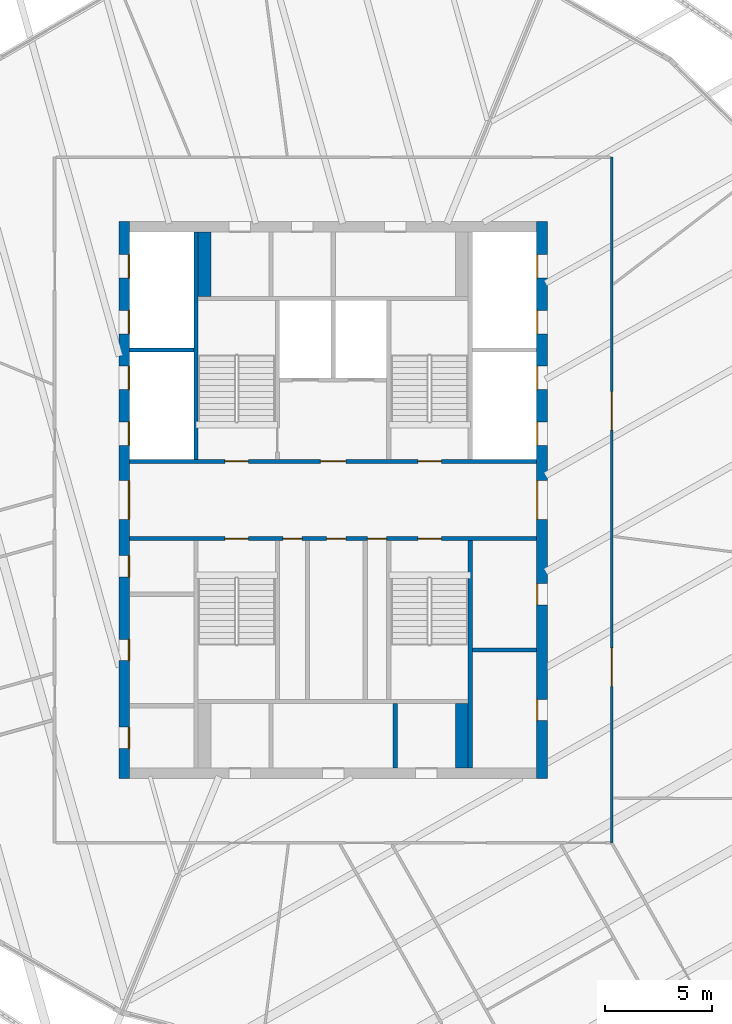
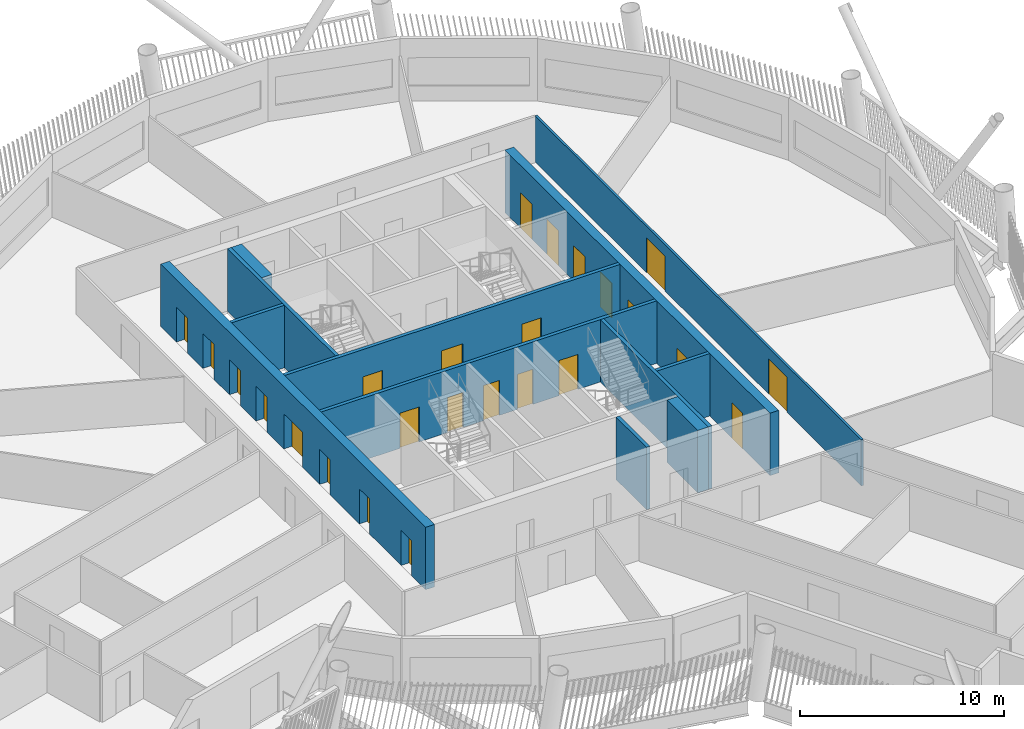
# One storey, part 5 of 21: 25 doors, 12 walls, 25 openings.
"""IFC4 building model written with IfcOpenShell, lengths in metres."""

from ifc_helpers import new_model, si_unit, direction, frame, frame_2d, origin, place, context, subcontext, project, spatial, rectangle, extrude, material, layer, layer_set, type_object, element, fill, save


model = new_model("IFC4")

# Units and contexts
model_context = context("Model", 3, precision=1e-05, world=origin(), true_north=direction((0.0, 1.0)))
body_context = subcontext(model_context, "Body", "Model", "MODEL_VIEW")
ifc_project = project(units=[si_unit("LENGTHUNIT", "METRE"), si_unit("AREAUNIT", "SQUARE_METRE"), si_unit("VOLUMEUNIT", "CUBIC_METRE"), si_unit("PLANEANGLEUNIT", "RADIAN"), si_unit("MASSUNIT", "GRAM", prefix="KILO")], contexts=[model_context])

# Site, building, storey
site_placement = place(None, origin())
site = spatial("IfcSite", under=ifc_project, at=site_placement, CompositionType="ELEMENT")
building_placement = place(site_placement, origin())
building = spatial("IfcBuilding", under=site, at=building_placement, Name="Tarsis Ring Headquarters", CompositionType="ELEMENT")
storey_placement = place(building_placement, frame((0.0, 0.0, 347.0)))
storey = spatial("IfcBuildingStorey", under=building, at=storey_placement, Name="L82", CompositionType="ELEMENT", Elevation=347.0)

# Walls
ifc_material_1 = material(Name="Blockwork", Category="masonry")
ifc_layer_1 = layer(ifc_material_1, 0.199951171875)
ifc_layer_set_1 = layer_set([ifc_layer_1], Name="Core blockwork wall 200")
wall_type_1 = type_object("IfcWallType", Name="Core blockwork wall 200", PredefinedType="PARTITIONING", material=ifc_layer_set_1)
for number, where, z_axis, x_axis, name in (
    (1, (6.5, -7.0, 0.0), (0.0, 0.0, 1.0), (1.0, 0.0, 0.0), "Core partition ED2"),
    (2, (2.89990234375, -12.5, 0.0), (0.0, 0.0, 1.0), (0.0, 1.0, 0.0), "Core partition SD3"),
):
    element("IfcWall", number, at=place(storey_placement, frame(where, z_axis=z_axis, x_axis=x_axis)), inside=storey, type_object=wall_type_1, Name=name, PredefinedType="PARTITIONING", context=body_context, shape_type="SweptSolid", body=[
        extrude(rectangle(XDim=3.0, YDim=0.199951171875, at=frame_2d((1.5, 0.0))), origin(), (0.0, 0.0, 1.0), 3.739990234375),
    ])

# Wall, openings, doors
ifc_material_2 = material(Name="Concrete C50/60", Category="concrete")
ifc_layer_2 = layer(ifc_material_2, 0.5)
ifc_layer_set_2 = layer_set([ifc_layer_2], Name="Core wall 500 C50/60")
wall_type_2 = type_object("IfcWallType", Name="Core wall 500 C50/60", PredefinedType="SHEAR", material=ifc_layer_set_2)
wall_1_placement = place(storey_placement, frame((-9.75, -13.0, 0.0), z_axis=(0.0, 0.0, 1.0), x_axis=(0.0, 1.0, 0.0)))
wall_1 = element("IfcWall", 3, at=wall_1_placement, inside=storey, type_object=wall_type_2, Name="Core wall OW", PredefinedType="SHEAR", context=body_context, shape_type="SweptSolid", body=[
    extrude(rectangle(XDim=26.0, YDim=0.5, at=frame_2d((13.0, 0.0))), origin(), (0.0, 0.0, 1.0), 3.739990234375),
])
opening_1_placement = place(wall_1_placement, frame((1.39990234375, 0.0, 0.0)))
opening_1 = element("IfcOpeningElement", 4, at=opening_1_placement, cuts=wall_1, Name="Opening L82-C01", PredefinedType="OPENING", context=body_context, shape_type="SweptSolid", body=[
    extrude(rectangle(XDim=1.0, YDim=2.10009765625, at=frame_2d((0.5, 1.050048828125))), frame((0.0, 0.260009765625, 0.0), z_axis=(0.0, -1.0, 0.0), x_axis=(1.0, 0.0, 0.0)), (0.0, 0.0, 1.0), 0.52001953125),
])
opening_2_placement = place(wall_1_placement, frame((5.5, 0.0, 0.0)))
opening_2 = element("IfcOpeningElement", 5, at=opening_2_placement, cuts=wall_1, Name="Opening L82-C02", PredefinedType="OPENING", context=body_context, shape_type="SweptSolid", body=[
    extrude(rectangle(XDim=1.0, YDim=2.10009765625, at=frame_2d((0.5, 1.050048828125))), frame((0.0, 0.260009765625, 0.0), z_axis=(0.0, -1.0, 0.0), x_axis=(1.0, 0.0, 0.0)), (0.0, 0.0, 1.0), 0.52001953125),
])
opening_3_placement = place(wall_1_placement, frame((9.39990234375, 0.0, 0.0)))
opening_3 = element("IfcOpeningElement", 6, at=opening_3_placement, cuts=wall_1, Name="Opening L82-C03", PredefinedType="OPENING", context=body_context, shape_type="SweptSolid", body=[
    extrude(rectangle(XDim=1.0, YDim=2.10009765625, at=frame_2d((0.5, 1.050048828125))), frame((0.0, 0.260009765625, 0.0), z_axis=(0.0, -1.0, 0.0), x_axis=(1.0, 0.0, 0.0)), (0.0, 0.0, 1.0), 0.52001953125),
])
opening_4_placement = place(wall_1_placement, frame((12.10009765625, 0.0, 0.0)))
opening_4 = element("IfcOpeningElement", 7, at=opening_4_placement, cuts=wall_1, Name="Opening L82-C04", PredefinedType="OPENING", context=body_context, shape_type="SweptSolid", body=[
    extrude(rectangle(XDim=1.800048828125, YDim=2.10009765625, at=frame_2d((0.89990234375, 1.050048828125))), frame((0.0, 0.260009765625, 0.0), z_axis=(0.0, -1.0, 0.0), x_axis=(1.0, 0.0, 0.0)), (0.0, 0.0, 1.0), 0.52001953125),
])
opening_5_placement = place(wall_1_placement, frame((15.550048828125, 0.0, 0.0)))
opening_5 = element("IfcOpeningElement", 8, at=opening_5_placement, cuts=wall_1, Name="Opening LD-HR1", PredefinedType="OPENING", context=body_context, shape_type="SweptSolid", body=[
    extrude(rectangle(XDim=1.10009765625, YDim=2.10009765625, at=frame_2d((0.550048828125, 1.050048828125))), frame((0.0, 0.260009765625, 0.0), z_axis=(0.0, -1.0, 0.0), x_axis=(1.0, 0.0, 0.0)), (0.0, 0.0, 1.0), 0.52001953125),
])
opening_6_placement = place(wall_1_placement, frame((18.14990234375, 0.0, 0.0)))
opening_6 = element("IfcOpeningElement", 9, at=opening_6_placement, cuts=wall_1, Name="Opening LD-HR2", PredefinedType="OPENING", context=body_context, shape_type="SweptSolid", body=[
    extrude(rectangle(XDim=1.10009765625, YDim=2.10009765625, at=frame_2d((0.550048828125, 1.050048828125))), frame((0.0, 0.260009765625, 0.0), z_axis=(0.0, -1.0, 0.0), x_axis=(1.0, 0.0, 0.0)), (0.0, 0.0, 1.0), 0.52001953125),
])
opening_7_placement = place(wall_1_placement, frame((20.75, 0.0, 0.0)))
opening_7 = element("IfcOpeningElement", 10, at=opening_7_placement, cuts=wall_1, Name="Opening LD-HR3", PredefinedType="OPENING", context=body_context, shape_type="SweptSolid", body=[
    extrude(rectangle(XDim=1.10009765625, YDim=2.10009765625, at=frame_2d((0.550048828125, 1.050048828125))), frame((0.0, 0.260009765625, 0.0), z_axis=(0.0, -1.0, 0.0), x_axis=(1.0, 0.0, 0.0)), (0.0, 0.0, 1.0), 0.52001953125),
])
opening_8_placement = place(wall_1_placement, frame((23.35009765625, 0.0, 0.0)))
opening_8 = element("IfcOpeningElement", 11, at=opening_8_placement, cuts=wall_1, Name="Opening LD-HR4", PredefinedType="OPENING", context=body_context, shape_type="SweptSolid", body=[
    extrude(rectangle(XDim=1.10009765625, YDim=2.10009765625, at=frame_2d((0.550048828125, 1.050048828125))), frame((0.0, 0.260009765625, 0.0), z_axis=(0.0, -1.0, 0.0), x_axis=(1.0, 0.0, 0.0)), (0.0, 0.0, 1.0), 0.52001953125),
])
ifc_material_3 = material(Name="Steel S355", Category="steel")
door_type_1 = type_object("IfcDoorType", Name="Core entry door 1800x2100", OperationType="DOUBLE_DOOR_SINGLE_SWING", PredefinedType="DOOR", material=ifc_material_3)
door_1_placement = place(opening_4_placement, origin())
door_1 = element("IfcDoor", 12, at=door_1_placement, inside=storey, type_object=door_type_1, Name="Core entry door L82", OperationType="DOUBLE_DOOR_SINGLE_SWING", OverallHeight=2.10009765625, OverallWidth=1.800048828125, PredefinedType="DOOR", context=body_context, shape_type="SweptSolid", body=[
    extrude(rectangle(XDim=1.800048828125, YDim=2.10009765625, at=frame_2d((0.89990234375, 1.050048828125))), frame((0.0, -0.2001953125, 0.0), z_axis=(0.0, -1.0, 0.0), x_axis=(1.0, 0.0, 0.0)), (0.0, 0.0, 1.0), 0.050048828125),
])
fill(opening_4, door_1)
door_type_2 = type_object("IfcDoorType", Name="Core room door 1000x2100", OperationType="SINGLE_SWING_LEFT", PredefinedType="DOOR", material=ifc_material_3)
door_2_placement = place(opening_1_placement, origin())
door_2 = element("IfcDoor", 13, at=door_2_placement, inside=storey, type_object=door_type_2, Name="Core room door L82", OperationType="SINGLE_SWING_LEFT", OverallHeight=2.10009765625, OverallWidth=1.0, PredefinedType="DOOR", context=body_context, shape_type="SweptSolid", body=[
    extrude(rectangle(XDim=1.0, YDim=2.10009765625, at=frame_2d((0.5, 1.050048828125))), frame((0.0, -0.2001953125, 0.0), z_axis=(0.0, -1.0, 0.0), x_axis=(1.0, 0.0, 0.0)), (0.0, 0.0, 1.0), 0.050048828125),
])
fill(opening_1, door_2)
door_3_placement = place(opening_2_placement, origin())
door_3 = element("IfcDoor", 14, at=door_3_placement, inside=storey, type_object=door_type_2, Name="Core room door L82", OperationType="SINGLE_SWING_LEFT", OverallHeight=2.10009765625, OverallWidth=1.0, PredefinedType="DOOR", context=body_context, shape_type="SweptSolid", body=[
    extrude(rectangle(XDim=1.0, YDim=2.10009765625, at=frame_2d((0.5, 1.050048828125))), frame((0.0, -0.2001953125, 0.0), z_axis=(0.0, -1.0, 0.0), x_axis=(1.0, 0.0, 0.0)), (0.0, 0.0, 1.0), 0.050048828125),
])
fill(opening_2, door_3)
door_4_placement = place(opening_3_placement, origin())
door_4 = element("IfcDoor", 15, at=door_4_placement, inside=storey, type_object=door_type_2, Name="Core room door L82", OperationType="SINGLE_SWING_LEFT", OverallHeight=2.10009765625, OverallWidth=1.0, PredefinedType="DOOR", context=body_context, shape_type="SweptSolid", body=[
    extrude(rectangle(XDim=1.0, YDim=2.10009765625, at=frame_2d((0.5, 1.050048828125))), frame((0.0, -0.2001953125, 0.0), z_axis=(0.0, -1.0, 0.0), x_axis=(1.0, 0.0, 0.0)), (0.0, 0.0, 1.0), 0.050048828125),
])
fill(opening_3, door_4)
door_type_3 = type_object("IfcDoorType", Name="Landing door 1100x2100", OperationType="SLIDING_TO_LEFT", PredefinedType="DOOR", material=ifc_material_3)
door_5_placement = place(opening_5_placement, origin())
door_5 = element("IfcDoor", 16, at=door_5_placement, inside=storey, type_object=door_type_3, Name="Landing door HR1 L82", OperationType="SLIDING_TO_LEFT", OverallHeight=2.10009765625, OverallWidth=1.10009765625, PredefinedType="DOOR", context=body_context, shape_type="SweptSolid", body=[
    extrude(rectangle(XDim=1.10009765625, YDim=2.10009765625, at=frame_2d((0.550048828125, 1.050048828125))), frame((0.0, -0.2001953125, 0.0), z_axis=(0.0, -1.0, 0.0), x_axis=(1.0, 0.0, 0.0)), (0.0, 0.0, 1.0), 0.050048828125),
])
fill(opening_5, door_5)
door_6_placement = place(opening_6_placement, origin())
door_6 = element("IfcDoor", 17, at=door_6_placement, inside=storey, type_object=door_type_3, Name="Landing door HR2 L82", OperationType="SLIDING_TO_LEFT", OverallHeight=2.10009765625, OverallWidth=1.10009765625, PredefinedType="DOOR", context=body_context, shape_type="SweptSolid", body=[
    extrude(rectangle(XDim=1.10009765625, YDim=2.10009765625, at=frame_2d((0.550048828125, 1.050048828125))), frame((0.0, -0.2001953125, 0.0), z_axis=(0.0, -1.0, 0.0), x_axis=(1.0, 0.0, 0.0)), (0.0, 0.0, 1.0), 0.050048828125),
])
fill(opening_6, door_6)
door_7_placement = place(opening_7_placement, origin())
door_7 = element("IfcDoor", 18, at=door_7_placement, inside=storey, type_object=door_type_3, Name="Landing door HR3 L82", OperationType="SLIDING_TO_LEFT", OverallHeight=2.10009765625, OverallWidth=1.10009765625, PredefinedType="DOOR", context=body_context, shape_type="SweptSolid", body=[
    extrude(rectangle(XDim=1.10009765625, YDim=2.10009765625, at=frame_2d((0.550048828125, 1.050048828125))), frame((0.0, -0.2001953125, 0.0), z_axis=(0.0, -1.0, 0.0), x_axis=(1.0, 0.0, 0.0)), (0.0, 0.0, 1.0), 0.050048828125),
])
fill(opening_7, door_7)
door_8_placement = place(opening_8_placement, origin())
door_8 = element("IfcDoor", 19, at=door_8_placement, inside=storey, type_object=door_type_3, Name="Landing door HR4 L82", OperationType="SLIDING_TO_LEFT", OverallHeight=2.10009765625, OverallWidth=1.10009765625, PredefinedType="DOOR", context=body_context, shape_type="SweptSolid", body=[
    extrude(rectangle(XDim=1.10009765625, YDim=2.10009765625, at=frame_2d((0.550048828125, 1.050048828125))), frame((0.0, -0.2001953125, 0.0), z_axis=(0.0, -1.0, 0.0), x_axis=(1.0, 0.0, 0.0)), (0.0, 0.0, 1.0), 0.050048828125),
])
fill(opening_8, door_8)

wall_2_placement = place(storey_placement, frame((9.75, -13.0, 0.0), z_axis=(0.0, 0.0, 1.0), x_axis=(0.0, 1.0, 0.0)))
wall_2 = element("IfcWall", 20, at=wall_2_placement, inside=storey, type_object=wall_type_2, Name="Core wall OE", PredefinedType="SHEAR", context=body_context, shape_type="SweptSolid", body=[
    extrude(rectangle(XDim=26.0, YDim=0.5, at=frame_2d((13.0, 0.0))), origin(), (0.0, 0.0, 1.0), 3.739990234375),
])
opening_9_placement = place(wall_2_placement, frame((2.699951171875, 0.0, 0.0)))
opening_9 = element("IfcOpeningElement", 21, at=opening_9_placement, cuts=wall_2, Name="Opening L82-C09", PredefinedType="OPENING", context=body_context, shape_type="SweptSolid", body=[
    extrude(rectangle(XDim=1.0, YDim=2.10009765625, at=frame_2d((0.5, 1.050048828125))), frame((0.0, 0.260009765625, 0.0), z_axis=(0.0, -1.0, 0.0), x_axis=(1.0, 0.0, 0.0)), (0.0, 0.0, 1.0), 0.52001953125),
])
opening_10_placement = place(wall_2_placement, frame((8.10009765625, 0.0, 0.0)))
opening_10 = element("IfcOpeningElement", 22, at=opening_10_placement, cuts=wall_2, Name="Opening L82-C10", PredefinedType="OPENING", context=body_context, shape_type="SweptSolid", body=[
    extrude(rectangle(XDim=1.0, YDim=2.10009765625, at=frame_2d((0.5, 1.050048828125))), frame((0.0, 0.260009765625, 0.0), z_axis=(0.0, -1.0, 0.0), x_axis=(1.0, 0.0, 0.0)), (0.0, 0.0, 1.0), 0.52001953125),
])
opening_11_placement = place(wall_2_placement, frame((12.10009765625, 0.0, 0.0)))
opening_11 = element("IfcOpeningElement", 23, at=opening_11_placement, cuts=wall_2, Name="Opening L82-C11", PredefinedType="OPENING", context=body_context, shape_type="SweptSolid", body=[
    extrude(rectangle(XDim=1.800048828125, YDim=2.10009765625, at=frame_2d((0.89990234375, 1.050048828125))), frame((0.0, 0.260009765625, 0.0), z_axis=(0.0, -1.0, 0.0), x_axis=(1.0, 0.0, 0.0)), (0.0, 0.0, 1.0), 0.52001953125),
])
opening_12_placement = place(wall_2_placement, frame((15.550048828125, 0.0, 0.0)))
opening_12 = element("IfcOpeningElement", 24, at=opening_12_placement, cuts=wall_2, Name="Opening LD-HR5", PredefinedType="OPENING", context=body_context, shape_type="SweptSolid", body=[
    extrude(rectangle(XDim=1.10009765625, YDim=2.10009765625, at=frame_2d((0.550048828125, 1.050048828125))), frame((0.0, 0.260009765625, 0.0), z_axis=(0.0, -1.0, 0.0), x_axis=(1.0, 0.0, 0.0)), (0.0, 0.0, 1.0), 0.52001953125),
])
opening_13_placement = place(wall_2_placement, frame((18.14990234375, 0.0, 0.0)))
opening_13 = element("IfcOpeningElement", 25, at=opening_13_placement, cuts=wall_2, Name="Opening LD-HR6", PredefinedType="OPENING", context=body_context, shape_type="SweptSolid", body=[
    extrude(rectangle(XDim=1.10009765625, YDim=2.10009765625, at=frame_2d((0.550048828125, 1.050048828125))), frame((0.0, 0.260009765625, 0.0), z_axis=(0.0, -1.0, 0.0), x_axis=(1.0, 0.0, 0.0)), (0.0, 0.0, 1.0), 0.52001953125),
])
opening_14_placement = place(wall_2_placement, frame((20.75, 0.0, 0.0)))
opening_14 = element("IfcOpeningElement", 26, at=opening_14_placement, cuts=wall_2, Name="Opening LD-HR7", PredefinedType="OPENING", context=body_context, shape_type="SweptSolid", body=[
    extrude(rectangle(XDim=1.10009765625, YDim=2.10009765625, at=frame_2d((0.550048828125, 1.050048828125))), frame((0.0, 0.260009765625, 0.0), z_axis=(0.0, -1.0, 0.0), x_axis=(1.0, 0.0, 0.0)), (0.0, 0.0, 1.0), 0.52001953125),
])
opening_15_placement = place(wall_2_placement, frame((23.35009765625, 0.0, 0.0)))
opening_15 = element("IfcOpeningElement", 27, at=opening_15_placement, cuts=wall_2, Name="Opening LD-HR8", PredefinedType="OPENING", context=body_context, shape_type="SweptSolid", body=[
    extrude(rectangle(XDim=1.10009765625, YDim=2.10009765625, at=frame_2d((0.550048828125, 1.050048828125))), frame((0.0, 0.260009765625, 0.0), z_axis=(0.0, -1.0, 0.0), x_axis=(1.0, 0.0, 0.0)), (0.0, 0.0, 1.0), 0.52001953125),
])
door_9_placement = place(opening_11_placement, origin())
door_9 = element("IfcDoor", 28, at=door_9_placement, inside=storey, type_object=door_type_1, Name="Core entry door L82", OperationType="DOUBLE_DOOR_SINGLE_SWING", OverallHeight=2.10009765625, OverallWidth=1.800048828125, PredefinedType="DOOR", context=body_context, shape_type="SweptSolid", body=[
    extrude(rectangle(XDim=1.800048828125, YDim=2.10009765625, at=frame_2d((0.89990234375, 1.050048828125))), frame((0.0, 0.25, 0.0), z_axis=(0.0, -1.0, 0.0), x_axis=(1.0, 0.0, 0.0)), (0.0, 0.0, 1.0), 0.050048828125),
])
fill(opening_11, door_9)
door_10_placement = place(opening_9_placement, origin())
door_10 = element("IfcDoor", 29, at=door_10_placement, inside=storey, type_object=door_type_2, Name="Core room door L82", OperationType="SINGLE_SWING_LEFT", OverallHeight=2.10009765625, OverallWidth=1.0, PredefinedType="DOOR", context=body_context, shape_type="SweptSolid", body=[
    extrude(rectangle(XDim=1.0, YDim=2.10009765625, at=frame_2d((0.5, 1.050048828125))), frame((0.0, 0.25, 0.0), z_axis=(0.0, -1.0, 0.0), x_axis=(1.0, 0.0, 0.0)), (0.0, 0.0, 1.0), 0.050048828125),
])
fill(opening_9, door_10)
door_11_placement = place(opening_10_placement, origin())
door_11 = element("IfcDoor", 30, at=door_11_placement, inside=storey, type_object=door_type_2, Name="Core room door L82", OperationType="SINGLE_SWING_LEFT", OverallHeight=2.10009765625, OverallWidth=1.0, PredefinedType="DOOR", context=body_context, shape_type="SweptSolid", body=[
    extrude(rectangle(XDim=1.0, YDim=2.10009765625, at=frame_2d((0.5, 1.050048828125))), frame((0.0, 0.25, 0.0), z_axis=(0.0, -1.0, 0.0), x_axis=(1.0, 0.0, 0.0)), (0.0, 0.0, 1.0), 0.050048828125),
])
fill(opening_10, door_11)
door_12_placement = place(opening_12_placement, origin())
door_12 = element("IfcDoor", 31, at=door_12_placement, inside=storey, type_object=door_type_3, Name="Landing door HR5 L82", OperationType="SLIDING_TO_LEFT", OverallHeight=2.10009765625, OverallWidth=1.10009765625, PredefinedType="DOOR", context=body_context, shape_type="SweptSolid", body=[
    extrude(rectangle(XDim=1.10009765625, YDim=2.10009765625, at=frame_2d((0.550048828125, 1.050048828125))), frame((0.0, 0.25, 0.0), z_axis=(0.0, -1.0, 0.0), x_axis=(1.0, 0.0, 0.0)), (0.0, 0.0, 1.0), 0.050048828125),
])
fill(opening_12, door_12)
door_13_placement = place(opening_13_placement, origin())
door_13 = element("IfcDoor", 32, at=door_13_placement, inside=storey, type_object=door_type_3, Name="Landing door HR6 L82", OperationType="SLIDING_TO_LEFT", OverallHeight=2.10009765625, OverallWidth=1.10009765625, PredefinedType="DOOR", context=body_context, shape_type="SweptSolid", body=[
    extrude(rectangle(XDim=1.10009765625, YDim=2.10009765625, at=frame_2d((0.550048828125, 1.050048828125))), frame((0.0, 0.25, 0.0), z_axis=(0.0, -1.0, 0.0), x_axis=(1.0, 0.0, 0.0)), (0.0, 0.0, 1.0), 0.050048828125),
])
fill(opening_13, door_13)
door_14_placement = place(opening_14_placement, origin())
door_14 = element("IfcDoor", 33, at=door_14_placement, inside=storey, type_object=door_type_3, Name="Landing door HR7 L82", OperationType="SLIDING_TO_LEFT", OverallHeight=2.10009765625, OverallWidth=1.10009765625, PredefinedType="DOOR", context=body_context, shape_type="SweptSolid", body=[
    extrude(rectangle(XDim=1.10009765625, YDim=2.10009765625, at=frame_2d((0.550048828125, 1.050048828125))), frame((0.0, 0.25, 0.0), z_axis=(0.0, -1.0, 0.0), x_axis=(1.0, 0.0, 0.0)), (0.0, 0.0, 1.0), 0.050048828125),
])
fill(opening_14, door_14)
door_15_placement = place(opening_15_placement, origin())
door_15 = element("IfcDoor", 34, at=door_15_placement, inside=storey, type_object=door_type_3, Name="Landing door HR8 L82", OperationType="SLIDING_TO_LEFT", OverallHeight=2.10009765625, OverallWidth=1.10009765625, PredefinedType="DOOR", context=body_context, shape_type="SweptSolid", body=[
    extrude(rectangle(XDim=1.10009765625, YDim=2.10009765625, at=frame_2d((0.550048828125, 1.050048828125))), frame((0.0, 0.25, 0.0), z_axis=(0.0, -1.0, 0.0), x_axis=(1.0, 0.0, 0.0)), (0.0, 0.0, 1.0), 0.050048828125),
])
fill(opening_15, door_15)

ifc_material_4 = material(Name="Gypsum board on steel studs", Category="steel")
ifc_layer_3 = layer(ifc_material_4, 0.125)
ifc_layer_set_3 = layer_set([ifc_layer_3], Name="FL partition 125 EI 60 H2770")
wall_type_3 = type_object("IfcWallType", Name="FL partition 125 EI 60 H2770", PredefinedType="PARTITIONING", material=ifc_layer_set_3)
wall_3_placement = place(storey_placement, frame((13.0, -16.0, 0.0), z_axis=(0.0, 0.0, 1.0), x_axis=(0.0, 1.0, 0.0)))
wall_3 = element("IfcWall", 35, at=wall_3_placement, inside=storey, type_object=wall_type_3, Name="Partition PW1", PredefinedType="PARTITIONING", context=body_context, shape_type="SweptSolid", body=[
    extrude(rectangle(XDim=32.0, YDim=0.125, at=frame_2d((16.0, 0.0))), origin(), (0.0, 0.0, 1.0), 2.77001953125),
])
opening_16_placement = place(wall_3_placement, frame((19.261474609375, 0.0, 0.0)))
opening_16 = element("IfcOpeningElement", 36, at=opening_16_placement, cuts=wall_3, Name="Opening D82.08", PredefinedType="OPENING", context=body_context, shape_type="SweptSolid", body=[
    extrude(rectangle(XDim=1.800048828125, YDim=2.10009765625, at=frame_2d((0.89990234375, 1.050048828125))), frame((0.0, 0.072509765625, 0.0), z_axis=(0.0, -1.0, 0.0), x_axis=(1.0, 0.0, 0.0)), (0.0, 0.0, 1.0), 0.14501953125),
])
opening_17_placement = place(wall_3_placement, frame((7.29736328125, 0.0, 0.0)))
opening_17 = element("IfcOpeningElement", 37, at=opening_17_placement, cuts=wall_3, Name="Opening D82.09", PredefinedType="OPENING", context=body_context, shape_type="SweptSolid", body=[
    extrude(rectangle(XDim=1.800048828125, YDim=2.10009765625, at=frame_2d((0.89990234375, 1.050048828125))), frame((0.0, 0.072509765625, 0.0), z_axis=(0.0, -1.0, 0.0), x_axis=(1.0, 0.0, 0.0)), (0.0, 0.0, 1.0), 0.14501953125),
])
ifc_material_5 = material(Name="Fire-rated timber door leaf in steel frame", Category="steel")
door_type_4 = type_object("IfcDoorType", Name="FL door FD60-1800", OperationType="DOUBLE_DOOR_SINGLE_SWING", PredefinedType="DOOR", material=ifc_material_5)
door_16_placement = place(opening_16_placement, origin())
door_16 = element("IfcDoor", 38, at=door_16_placement, inside=storey, type_object=door_type_4, Name="Door D82.08", OperationType="DOUBLE_DOOR_SINGLE_SWING", OverallHeight=2.10009765625, OverallWidth=1.800048828125, PredefinedType="DOOR", context=body_context, shape_type="SweptSolid", body=[
    extrude(rectangle(XDim=1.800048828125, YDim=2.10009765625, at=frame_2d((0.89990234375, 1.050048828125))), frame((0.0, 0.02490234375, 0.0), z_axis=(0.0, -1.0, 0.0), x_axis=(1.0, 0.0, 0.0)), (0.0, 0.0, 1.0), 0.050048828125),
])
fill(opening_16, door_16)
door_17_placement = place(opening_17_placement, origin())
door_17 = element("IfcDoor", 39, at=door_17_placement, inside=storey, type_object=door_type_4, Name="Door D82.09", OperationType="DOUBLE_DOOR_SINGLE_SWING", OverallHeight=2.10009765625, OverallWidth=1.800048828125, PredefinedType="DOOR", context=body_context, shape_type="SweptSolid", body=[
    extrude(rectangle(XDim=1.800048828125, YDim=2.10009765625, at=frame_2d((0.89990234375, 1.050048828125))), frame((0.0, 0.02490234375, 0.0), z_axis=(0.0, -1.0, 0.0), x_axis=(1.0, 0.0, 0.0)), (0.0, 0.0, 1.0), 0.050048828125),
])
fill(opening_17, door_17)

# Walls
ifc_material_6 = material(Name="Concrete C32/40", Category="concrete")
ifc_layer_4 = layer(ifc_material_6, 0.60009765625)
ifc_layer_set_4 = layer_set([ifc_layer_4], Name="Shaft end wall 600 C32/40")
wall_type_4 = type_object("IfcWallType", Name="Shaft end wall 600 C32/40", PredefinedType="SOLIDWALL", material=ifc_layer_set_4)
for number, where, z_axis, x_axis, name in (
    (40, (-6.0, 9.5, 0.0), (0.0, 0.0, 1.0), (0.0, 1.0, 0.0), "Core shaft wall NNE1"),
    (41, (6.0, -12.5, 0.0), (0.0, 0.0, 1.0), (0.0, 1.0, 0.0), "Core shaft wall SNE2"),
):
    element("IfcWall", number, at=place(storey_placement, frame(where, z_axis=z_axis, x_axis=x_axis)), inside=storey, type_object=wall_type_4, Name=name, PredefinedType="SOLIDWALL", context=body_context, shape_type="SweptSolid", body=[
        extrude(rectangle(XDim=3.0, YDim=0.60009765625, at=frame_2d((1.5, 0.0))), origin(), (0.0, 0.0, 1.0), 3.739990234375),
    ])

# Wall, openings, doors
ifc_layer_5 = layer(ifc_material_6, 0.199951171875)
ifc_layer_set_5 = layer_set([ifc_layer_5], Name="Shaft wall 200 C32/40")
wall_type_5 = type_object("IfcWallType", Name="Shaft wall 200 C32/40", PredefinedType="SOLIDWALL", material=ifc_layer_set_5)
wall_4_placement = place(storey_placement, frame((-9.5, 1.800048828125, 0.0), z_axis=(0.0, 0.0, 1.0), x_axis=(1.0, 0.0, 0.0)))
wall_4 = element("IfcWall", 42, at=wall_4_placement, inside=storey, type_object=wall_type_5, Name="Core shaft wall CN", PredefinedType="SOLIDWALL", context=body_context, shape_type="SweptSolid", body=[
    extrude(rectangle(XDim=19.0, YDim=0.199951171875, at=frame_2d((9.5, 0.0))), origin(), (0.0, 0.0, 1.0), 3.739990234375),
])
opening_18_placement = place(wall_4_placement, frame((4.449951171875, 0.0, 0.0)))
opening_18 = element("IfcOpeningElement", 43, at=opening_18_placement, cuts=wall_4, Name="Opening L82-C22", PredefinedType="OPENING", context=body_context, shape_type="SweptSolid", body=[
    extrude(rectangle(XDim=1.10009765625, YDim=2.10009765625, at=frame_2d((0.550048828125, 1.050048828125))), frame((0.0, 0.10986328125, 0.0), z_axis=(0.0, -1.0, 0.0), x_axis=(1.0, 0.0, 0.0)), (0.0, 0.0, 1.0), 0.219970703125),
])
opening_19_placement = place(wall_4_placement, frame((8.89990234375, 0.0, 0.0)))
opening_19 = element("IfcOpeningElement", 44, at=opening_19_placement, cuts=wall_4, Name="Opening L82-C23", PredefinedType="OPENING", context=body_context, shape_type="SweptSolid", body=[
    extrude(rectangle(XDim=1.199951171875, YDim=2.10009765625, at=frame_2d((0.60009765625, 1.050048828125))), frame((0.0, 0.10986328125, 0.0), z_axis=(0.0, -1.0, 0.0), x_axis=(1.0, 0.0, 0.0)), (0.0, 0.0, 1.0), 0.219970703125),
])
opening_20_placement = place(wall_4_placement, frame((13.449951171875, 0.0, 0.0)))
opening_20 = element("IfcOpeningElement", 45, at=opening_20_placement, cuts=wall_4, Name="Opening L82-C24", PredefinedType="OPENING", context=body_context, shape_type="SweptSolid", body=[
    extrude(rectangle(XDim=1.10009765625, YDim=2.10009765625, at=frame_2d((0.550048828125, 1.050048828125))), frame((0.0, 0.10986328125, 0.0), z_axis=(0.0, -1.0, 0.0), x_axis=(1.0, 0.0, 0.0)), (0.0, 0.0, 1.0), 0.219970703125),
])
door_type_5 = type_object("IfcDoorType", Name="Firefighting lobby door 1200x2100", OperationType="DOUBLE_DOOR_SINGLE_SWING", PredefinedType="DOOR", material=ifc_material_3)
door_18_placement = place(opening_19_placement, origin())
door_18 = element("IfcDoor", 46, at=door_18_placement, inside=storey, type_object=door_type_5, Name="Firefighting lobby door L82", OperationType="DOUBLE_DOOR_SINGLE_SWING", OverallHeight=2.10009765625, OverallWidth=1.199951171875, PredefinedType="DOOR", context=body_context, shape_type="SweptSolid", body=[
    extrude(rectangle(XDim=1.199951171875, YDim=2.10009765625, at=frame_2d((0.60009765625, 1.050048828125))), frame((0.0, 0.02490234375, 0.0), z_axis=(0.0, -1.0, 0.0), x_axis=(1.0, 0.0, 0.0)), (0.0, 0.0, 1.0), 0.050048828125),
])
fill(opening_19, door_18)
door_type_6 = type_object("IfcDoorType", Name="Stair door 1100x2100", OperationType="SINGLE_SWING_LEFT", PredefinedType="DOOR", material=ifc_material_3)
door_19_placement = place(opening_18_placement, origin())
door_19 = element("IfcDoor", 47, at=door_19_placement, inside=storey, type_object=door_type_6, Name="Stair door L82", OperationType="SINGLE_SWING_LEFT", OverallHeight=2.10009765625, OverallWidth=1.10009765625, PredefinedType="DOOR", context=body_context, shape_type="SweptSolid", body=[
    extrude(rectangle(XDim=1.10009765625, YDim=2.10009765625, at=frame_2d((0.550048828125, 1.050048828125))), frame((0.0, 0.02490234375, 0.0), z_axis=(0.0, -1.0, 0.0), x_axis=(1.0, 0.0, 0.0)), (0.0, 0.0, 1.0), 0.050048828125),
])
fill(opening_18, door_19)
door_20_placement = place(opening_20_placement, origin())
door_20 = element("IfcDoor", 48, at=door_20_placement, inside=storey, type_object=door_type_6, Name="Stair door L82", OperationType="SINGLE_SWING_LEFT", OverallHeight=2.10009765625, OverallWidth=1.10009765625, PredefinedType="DOOR", context=body_context, shape_type="SweptSolid", body=[
    extrude(rectangle(XDim=1.10009765625, YDim=2.10009765625, at=frame_2d((0.550048828125, 1.050048828125))), frame((0.0, 0.02490234375, 0.0), z_axis=(0.0, -1.0, 0.0), x_axis=(1.0, 0.0, 0.0)), (0.0, 0.0, 1.0), 0.050048828125),
])
fill(opening_20, door_20)

wall_5_placement = place(storey_placement, frame((-9.5, -1.800048828125, 0.0), z_axis=(0.0, 0.0, 1.0), x_axis=(1.0, 0.0, 0.0)))
wall_5 = element("IfcWall", 49, at=wall_5_placement, inside=storey, type_object=wall_type_5, Name="Core shaft wall CS", PredefinedType="SOLIDWALL", context=body_context, shape_type="SweptSolid", body=[
    extrude(rectangle(XDim=19.0, YDim=0.199951171875, at=frame_2d((9.5, 0.0))), origin(), (0.0, 0.0, 1.0), 3.739990234375),
])
opening_21_placement = place(wall_5_placement, frame((4.449951171875, 0.0, 0.0)))
opening_21 = element("IfcOpeningElement", 50, at=opening_21_placement, cuts=wall_5, Name="Opening L82-C25", PredefinedType="OPENING", context=body_context, shape_type="SweptSolid", body=[
    extrude(rectangle(XDim=1.10009765625, YDim=2.10009765625, at=frame_2d((0.550048828125, 1.050048828125))), frame((0.0, 0.10986328125, 0.0), z_axis=(0.0, -1.0, 0.0), x_axis=(1.0, 0.0, 0.0)), (0.0, 0.0, 1.0), 0.219970703125),
])
opening_22_placement = place(wall_5_placement, frame((7.14990234375, 0.0, 0.0)))
opening_22 = element("IfcOpeningElement", 51, at=opening_22_placement, cuts=wall_5, Name="Opening L82-C26", PredefinedType="OPENING", context=body_context, shape_type="SweptSolid", body=[
    extrude(rectangle(XDim=0.89990234375, YDim=2.10009765625, at=frame_2d((0.449951171875, 1.050048828125))), frame((0.0, 0.10986328125, 0.0), z_axis=(0.0, -1.0, 0.0), x_axis=(1.0, 0.0, 0.0)), (0.0, 0.0, 1.0), 0.219970703125),
])
opening_23_placement = place(wall_5_placement, frame((9.199951171875, 0.0, 0.0)))
opening_23 = element("IfcOpeningElement", 52, at=opening_23_placement, cuts=wall_5, Name="Opening L82-C27", PredefinedType="OPENING", context=body_context, shape_type="SweptSolid", body=[
    extrude(rectangle(XDim=0.89990234375, YDim=2.10009765625, at=frame_2d((0.449951171875, 1.050048828125))), frame((0.0, 0.10986328125, 0.0), z_axis=(0.0, -1.0, 0.0), x_axis=(1.0, 0.0, 0.0)), (0.0, 0.0, 1.0), 0.219970703125),
])
opening_24_placement = place(wall_5_placement, frame((11.10009765625, 0.0, 0.0)))
opening_24 = element("IfcOpeningElement", 53, at=opening_24_placement, cuts=wall_5, Name="Opening L82-C28", PredefinedType="OPENING", context=body_context, shape_type="SweptSolid", body=[
    extrude(rectangle(XDim=0.89990234375, YDim=2.10009765625, at=frame_2d((0.449951171875, 1.050048828125))), frame((0.0, 0.10986328125, 0.0), z_axis=(0.0, -1.0, 0.0), x_axis=(1.0, 0.0, 0.0)), (0.0, 0.0, 1.0), 0.219970703125),
])
opening_25_placement = place(wall_5_placement, frame((13.449951171875, 0.0, 0.0)))
opening_25 = element("IfcOpeningElement", 54, at=opening_25_placement, cuts=wall_5, Name="Opening L82-C29", PredefinedType="OPENING", context=body_context, shape_type="SweptSolid", body=[
    extrude(rectangle(XDim=1.10009765625, YDim=2.10009765625, at=frame_2d((0.550048828125, 1.050048828125))), frame((0.0, 0.10986328125, 0.0), z_axis=(0.0, -1.0, 0.0), x_axis=(1.0, 0.0, 0.0)), (0.0, 0.0, 1.0), 0.219970703125),
])
door_21_placement = place(opening_21_placement, origin())
door_21 = element("IfcDoor", 55, at=door_21_placement, inside=storey, type_object=door_type_6, Name="Stair door L82", OperationType="SINGLE_SWING_LEFT", OverallHeight=2.10009765625, OverallWidth=1.10009765625, PredefinedType="DOOR", context=body_context, shape_type="SweptSolid", body=[
    extrude(rectangle(XDim=1.10009765625, YDim=2.10009765625, at=frame_2d((0.550048828125, 1.050048828125))), frame((0.0, 0.02490234375, 0.0), z_axis=(0.0, -1.0, 0.0), x_axis=(1.0, 0.0, 0.0)), (0.0, 0.0, 1.0), 0.050048828125),
])
fill(opening_21, door_21)
door_22_placement = place(opening_25_placement, origin())
door_22 = element("IfcDoor", 56, at=door_22_placement, inside=storey, type_object=door_type_6, Name="Stair door L82", OperationType="SINGLE_SWING_LEFT", OverallHeight=2.10009765625, OverallWidth=1.10009765625, PredefinedType="DOOR", context=body_context, shape_type="SweptSolid", body=[
    extrude(rectangle(XDim=1.10009765625, YDim=2.10009765625, at=frame_2d((0.550048828125, 1.050048828125))), frame((0.0, 0.02490234375, 0.0), z_axis=(0.0, -1.0, 0.0), x_axis=(1.0, 0.0, 0.0)), (0.0, 0.0, 1.0), 0.050048828125),
])
fill(opening_25, door_22)
door_type_7 = type_object("IfcDoorType", Name="WC door 900x2100", OperationType="SINGLE_SWING_LEFT", PredefinedType="DOOR", material=ifc_material_3)
door_23_placement = place(opening_22_placement, origin())
door_23 = element("IfcDoor", 57, at=door_23_placement, inside=storey, type_object=door_type_7, Name="WC door L82", OperationType="SINGLE_SWING_LEFT", OverallHeight=2.10009765625, OverallWidth=0.89990234375, PredefinedType="DOOR", context=body_context, shape_type="SweptSolid", body=[
    extrude(rectangle(XDim=0.89990234375, YDim=2.10009765625, at=frame_2d((0.449951171875, 1.050048828125))), frame((0.0, 0.02490234375, 0.0), z_axis=(0.0, -1.0, 0.0), x_axis=(1.0, 0.0, 0.0)), (0.0, 0.0, 1.0), 0.050048828125),
])
fill(opening_22, door_23)
door_24_placement = place(opening_23_placement, origin())
door_24 = element("IfcDoor", 58, at=door_24_placement, inside=storey, type_object=door_type_7, Name="WC door L82", OperationType="SINGLE_SWING_LEFT", OverallHeight=2.10009765625, OverallWidth=0.89990234375, PredefinedType="DOOR", context=body_context, shape_type="SweptSolid", body=[
    extrude(rectangle(XDim=0.89990234375, YDim=2.10009765625, at=frame_2d((0.449951171875, 1.050048828125))), frame((0.0, 0.02490234375, 0.0), z_axis=(0.0, -1.0, 0.0), x_axis=(1.0, 0.0, 0.0)), (0.0, 0.0, 1.0), 0.050048828125),
])
fill(opening_23, door_24)
door_25_placement = place(opening_24_placement, origin())
door_25 = element("IfcDoor", 59, at=door_25_placement, inside=storey, type_object=door_type_7, Name="WC door L82", OperationType="SINGLE_SWING_LEFT", OverallHeight=2.10009765625, OverallWidth=0.89990234375, PredefinedType="DOOR", context=body_context, shape_type="SweptSolid", body=[
    extrude(rectangle(XDim=0.89990234375, YDim=2.10009765625, at=frame_2d((0.449951171875, 1.050048828125))), frame((0.0, 0.02490234375, 0.0), z_axis=(0.0, -1.0, 0.0), x_axis=(1.0, 0.0, 0.0)), (0.0, 0.0, 1.0), 0.050048828125),
])
fill(opening_24, door_25)

# Walls
for number, where, z_axis, x_axis, name in (
    (60, (-6.39990234375, 1.89990234375, 0.0), (0.0, 0.0, 1.0), (0.0, 1.0, 0.0), "Core shaft wall WB2"),
    (61, (6.39990234375, -12.5, 0.0), (0.0, 0.0, 1.0), (0.0, 1.0, 0.0), "Core shaft wall EB1"),
):
    element("IfcWall", number, at=place(storey_placement, frame(where, z_axis=z_axis, x_axis=x_axis)), inside=storey, type_object=wall_type_5, Name=name, PredefinedType="SOLIDWALL", context=body_context, shape_type="SweptSolid", body=[
        extrude(rectangle(XDim=10.60009765625, YDim=0.199951171875, at=frame_2d((5.300048828125, 0.0))), origin(), (0.0, 0.0, 1.0), 3.739990234375),
    ])
wall_6_placement = place(storey_placement, frame((-9.5, 7.0, 0.0), z_axis=(0.0, 0.0, 1.0), x_axis=(1.0, 0.0, 0.0)))
element("IfcWall", 62, at=wall_6_placement, inside=storey, type_object=wall_type_5, Name="Core shaft wall WD6", PredefinedType="SOLIDWALL", context=body_context, shape_type="SweptSolid", body=[
    extrude(rectangle(XDim=3.0, YDim=0.199951171875, at=frame_2d((1.5, 0.0))), origin(), (0.0, 0.0, 1.0), 3.739990234375),
])

save(model, "model.ifc")
